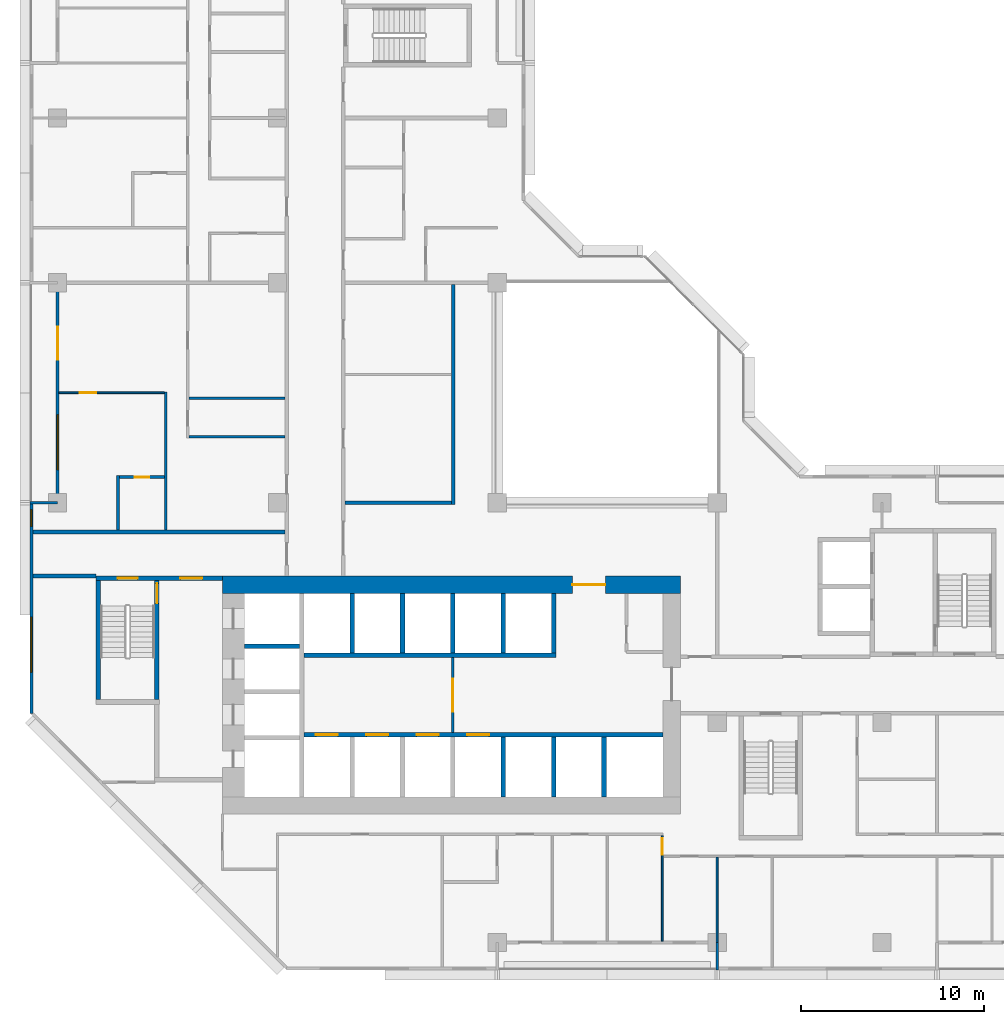
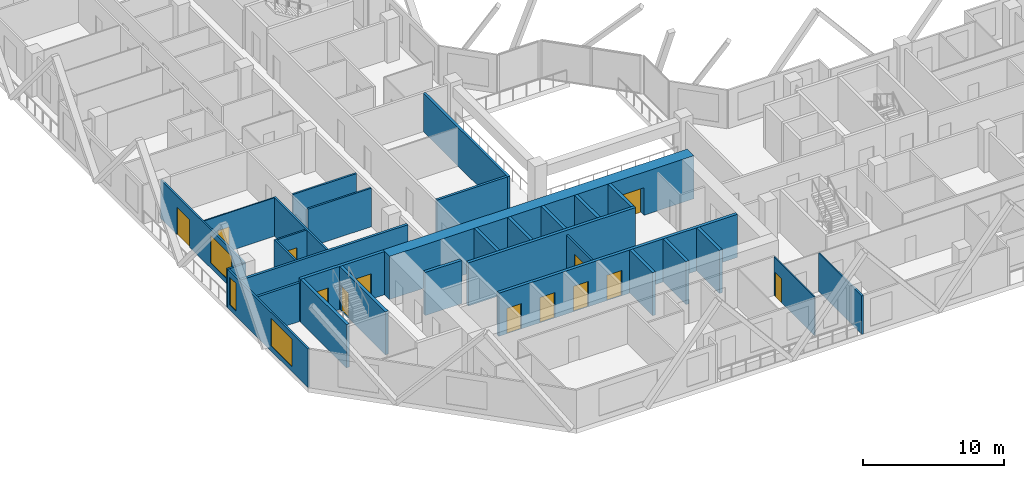
# One storey, part 5 of 15: 32 walls, 13 doors, 3 windows, 16 openings.
"""IFC4 building model written with IfcOpenShell, lengths in metres."""

from ifc_helpers import new_model, si_unit, direction, frame, frame_2d, origin, place, context, subcontext, project, spatial, rectangle, extrude, material, layer, layer_set, type_object, element, fill, save


model = new_model("IFC4")

# Units and contexts
model_context = context("Model", 3, precision=1e-05, world=origin(), true_north=direction((0.0, 1.0)))
body_context = subcontext(model_context, "Body", "Model", "MODEL_VIEW")
ifc_project = project(units=[si_unit("LENGTHUNIT", "METRE"), si_unit("AREAUNIT", "SQUARE_METRE"), si_unit("VOLUMEUNIT", "CUBIC_METRE"), si_unit("PLANEANGLEUNIT", "RADIAN"), si_unit("MASSUNIT", "GRAM", prefix="KILO")], contexts=[model_context])

# Site, building, storey
site_placement = place(None, origin())
site = spatial("IfcSite", under=ifc_project, at=site_placement, CompositionType="ELEMENT")
building_placement = place(site_placement, origin())
building = spatial("IfcBuilding", under=site, at=building_placement, Name="Chenar Terraces", CompositionType="ELEMENT")
storey_placement = place(building_placement, frame((0.0, 0.0, 121.89990234375)))
storey = spatial("IfcBuildingStorey", under=building, at=storey_placement, Name="L28", CompositionType="ELEMENT", Elevation=121.89990234375)

# Wall, opening, door
ifc_material_1 = material(Name="Gypsum board on steel studs", Category="steel")
ifc_layer_1 = layer(ifc_material_1, 0.14990234375)
ifc_layer_set_1 = layer_set([ifc_layer_1], Name="Gypsum board on steel studs")
wall_type_1 = type_object("IfcWallType", Name="Core partition 150 gypsum board", PredefinedType="PARTITIONING", material=ifc_layer_set_1)
wall_1_placement = place(storey_placement, frame((21.574951171875, 11.449951171875, 0.0), z_axis=(0.0, 0.0, 1.0), x_axis=(0.0, 1.0, 0.0)))
wall_1 = element("IfcWall", 1, at=wall_1_placement, inside=storey, type_object=wall_type_1, Name="Core partition CP1 lift lobby smoke stop", PredefinedType="PARTITIONING", context=body_context, shape_type="SweptSolid", body=[
    extrude(rectangle(XDim=4.10009765625, YDim=0.14990234375, at=frame_2d((2.050048828125, 0.0))), origin(), (0.0, 0.0, 1.0), 3.35009765625),
])
opening_1_placement = place(wall_1_placement, frame((1.14990234375, 0.0, 0.0)))
opening_1 = element("IfcOpeningElement", 2, at=opening_1_placement, cuts=wall_1, Name="Opening DL28-C12", PredefinedType="OPENING", context=body_context, shape_type="SweptSolid", body=[
    extrude(rectangle(XDim=1.800048828125, YDim=2.39990234375, at=frame_2d((0.89990234375, 1.199951171875))), frame((0.0, 0.0849609375, 0.0), z_axis=(0.0, -1.0, 0.0), x_axis=(1.0, 0.0, 0.0)), (0.0, 0.0, 1.0), 0.169921875),
])
ifc_material_2 = material(Name="Steel-framed fire-resisting door leaf", Category="steel")
door_type_1 = type_object("IfcDoorType", Name="Core entrance double fire door FD60 1800 x 2400", OperationType="DOUBLE_DOOR_SINGLE_SWING", PredefinedType="DOOR", material=ifc_material_2)
door_1_placement = place(opening_1_placement, frame((1.800048828125, 0.0, 0.0), z_axis=(0.0, 0.0, 1.0), x_axis=(-1.0, 0.0, 0.0)))
door_1 = element("IfcDoor", 3, at=door_1_placement, inside=storey, type_object=door_type_1, Name="Core door DL28-C12", OperationType="DOUBLE_DOOR_SINGLE_SWING", OverallHeight=2.39990234375, OverallWidth=1.800048828125, PredefinedType="DOOR", context=body_context, shape_type="SweptSolid", body=[
    extrude(rectangle(XDim=1.800048828125, YDim=2.39990234375, at=frame_2d((0.89990234375, 1.199951171875))), frame((0.0, 0.02490234375, 0.0), z_axis=(0.0, -1.0, 0.0), x_axis=(1.0, 0.0, 0.0)), (0.0, 0.0, 1.0), 0.050048828125),
])
fill(opening_1, door_1)

# Wall, openings, doors
ifc_material_3 = material(Name="Concrete C70/85", Category="concrete")
ifc_layer_2 = layer(ifc_material_3, 0.25)
ifc_layer_set_2 = layer_set([ifc_layer_2], Name="Concrete C70/85")
wall_type_2 = type_object("IfcWallType", Name="Core wall 250 Concrete C70/85", PredefinedType="SHEAR", material=ifc_layer_set_2)
wall_2_placement = place(storey_placement, frame((13.449951171875, 11.324951171875, 0.0), z_axis=(0.0, 0.0, 1.0), x_axis=(1.0, 0.0, 0.0)))
wall_2 = element("IfcWall", 4, at=wall_2_placement, inside=storey, type_object=wall_type_2, Name="Core wall SF L28", PredefinedType="SHEAR", context=body_context, shape_type="SweptSolid", body=[
    extrude(rectangle(XDim=19.60009765625, YDim=0.25, at=frame_2d((9.800048828125, 0.0))), origin(), (0.0, 0.0, 1.0), 3.75),
])
opening_2_placement = place(wall_2_placement, frame((0.64990234375, 0.0, 0.0)))
opening_2 = element("IfcOpeningElement", 5, at=opening_2_placement, cuts=wall_2, Name="Opening DL28-LD1", PredefinedType="OPENING", context=body_context, shape_type="SweptSolid", body=[
    extrude(rectangle(XDim=1.199951171875, YDim=2.199951171875, at=frame_2d((0.60009765625, 1.10009765625))), frame((0.0, 0.135009765625, 0.0), z_axis=(0.0, -1.0, 0.0), x_axis=(1.0, 0.0, 0.0)), (0.0, 0.0, 1.0), 0.27001953125),
])
opening_3_placement = place(wall_2_placement, frame((3.39990234375, 0.0, 0.0)))
opening_3 = element("IfcOpeningElement", 6, at=opening_3_placement, cuts=wall_2, Name="Opening DL28-LD2", PredefinedType="OPENING", context=body_context, shape_type="SweptSolid", body=[
    extrude(rectangle(XDim=1.199951171875, YDim=2.199951171875, at=frame_2d((0.60009765625, 1.10009765625))), frame((0.0, 0.135009765625, 0.0), z_axis=(0.0, -1.0, 0.0), x_axis=(1.0, 0.0, 0.0)), (0.0, 0.0, 1.0), 0.27001953125),
])
opening_4_placement = place(wall_2_placement, frame((6.14990234375, 0.0, 0.0)))
opening_4 = element("IfcOpeningElement", 7, at=opening_4_placement, cuts=wall_2, Name="Opening DL28-LD3", PredefinedType="OPENING", context=body_context, shape_type="SweptSolid", body=[
    extrude(rectangle(XDim=1.199951171875, YDim=2.199951171875, at=frame_2d((0.60009765625, 1.10009765625))), frame((0.0, 0.135009765625, 0.0), z_axis=(0.0, -1.0, 0.0), x_axis=(1.0, 0.0, 0.0)), (0.0, 0.0, 1.0), 0.27001953125),
])
opening_5_placement = place(wall_2_placement, frame((8.89990234375, 0.0, 0.0)))
opening_5 = element("IfcOpeningElement", 8, at=opening_5_placement, cuts=wall_2, Name="Opening DL28-LD4", PredefinedType="OPENING", context=body_context, shape_type="SweptSolid", body=[
    extrude(rectangle(XDim=1.199951171875, YDim=2.199951171875, at=frame_2d((0.60009765625, 1.10009765625))), frame((0.0, 0.135009765625, 0.0), z_axis=(0.0, -1.0, 0.0), x_axis=(1.0, 0.0, 0.0)), (0.0, 0.0, 1.0), 0.27001953125),
])
ifc_material_4 = material(Name="Stainless steel", Category="steel")
door_type_2 = type_object("IfcDoorType", Name="Lift landing door 1200 x 2200 sliding", OperationType="DOUBLE_DOOR_SLIDING", PredefinedType="DOOR", material=ifc_material_4)
door_2_placement = place(opening_2_placement, origin())
door_2 = element("IfcDoor", 9, at=door_2_placement, inside=storey, type_object=door_type_2, Name="Landing door L1", OperationType="DOUBLE_DOOR_SLIDING", OverallHeight=2.199951171875, OverallWidth=1.199951171875, PredefinedType="DOOR", context=body_context, shape_type="SweptSolid", body=[
    extrude(rectangle(XDim=1.199951171875, YDim=2.199951171875, at=frame_2d((0.60009765625, 1.10009765625))), frame((0.0, 0.02490234375, 0.0), z_axis=(0.0, -1.0, 0.0), x_axis=(1.0, 0.0, 0.0)), (0.0, 0.0, 1.0), 0.050048828125),
])
fill(opening_2, door_2)
door_3_placement = place(opening_3_placement, origin())
door_3 = element("IfcDoor", 10, at=door_3_placement, inside=storey, type_object=door_type_2, Name="Landing door L2", OperationType="DOUBLE_DOOR_SLIDING", OverallHeight=2.199951171875, OverallWidth=1.199951171875, PredefinedType="DOOR", context=body_context, shape_type="SweptSolid", body=[
    extrude(rectangle(XDim=1.199951171875, YDim=2.199951171875, at=frame_2d((0.60009765625, 1.10009765625))), frame((0.0, 0.02490234375, 0.0), z_axis=(0.0, -1.0, 0.0), x_axis=(1.0, 0.0, 0.0)), (0.0, 0.0, 1.0), 0.050048828125),
])
fill(opening_3, door_3)
door_4_placement = place(opening_4_placement, origin())
door_4 = element("IfcDoor", 11, at=door_4_placement, inside=storey, type_object=door_type_2, Name="Landing door L3", OperationType="DOUBLE_DOOR_SLIDING", OverallHeight=2.199951171875, OverallWidth=1.199951171875, PredefinedType="DOOR", context=body_context, shape_type="SweptSolid", body=[
    extrude(rectangle(XDim=1.199951171875, YDim=2.199951171875, at=frame_2d((0.60009765625, 1.10009765625))), frame((0.0, 0.02490234375, 0.0), z_axis=(0.0, -1.0, 0.0), x_axis=(1.0, 0.0, 0.0)), (0.0, 0.0, 1.0), 0.050048828125),
])
fill(opening_4, door_4)
door_5_placement = place(opening_5_placement, origin())
door_5 = element("IfcDoor", 12, at=door_5_placement, inside=storey, type_object=door_type_2, Name="Landing door L4", OperationType="DOUBLE_DOOR_SLIDING", OverallHeight=2.199951171875, OverallWidth=1.199951171875, PredefinedType="DOOR", context=body_context, shape_type="SweptSolid", body=[
    extrude(rectangle(XDim=1.199951171875, YDim=2.199951171875, at=frame_2d((0.60009765625, 1.10009765625))), frame((0.0, 0.02490234375, 0.0), z_axis=(0.0, -1.0, 0.0), x_axis=(1.0, 0.0, 0.0)), (0.0, 0.0, 1.0), 0.050048828125),
])
fill(opening_5, door_5)

# Walls
wall_3_placement = place(storey_placement, frame((13.449951171875, 15.675048828125, 0.0), z_axis=(0.0, 0.0, 1.0), x_axis=(1.0, 0.0, 0.0)))
element("IfcWall", 13, at=wall_3_placement, inside=storey, type_object=wall_type_2, Name="Core wall NF L28", PredefinedType="SHEAR", context=body_context, shape_type="SweptSolid", body=[
    extrude(rectangle(XDim=13.75, YDim=0.25, at=frame_2d((6.875, 0.0))), origin(), (0.0, 0.0, 1.0), 3.75),
])
wall_4_placement = place(storey_placement, frame((10.199951171875, 16.175048828125, 0.0), z_axis=(0.0, 0.0, 1.0), x_axis=(1.0, 0.0, 0.0)))
element("IfcWall", 14, at=wall_4_placement, inside=storey, type_object=wall_type_2, Name="Core wall HW2 L28", PredefinedType="SHEAR", context=body_context, shape_type="SweptSolid", body=[
    extrude(rectangle(XDim=3.0, YDim=0.25, at=frame_2d((1.5, 0.0))), origin(), (0.0, 0.0, 1.0), 3.75),
])
for number, where, z_axis, x_axis, name in (
    (15, (24.324951171875, 7.949951171875, 0.0), (0.0, 0.0, 1.0), (0.0, 1.0, 0.0), "Core wall SS3 L28"),
    (16, (27.074951171875, 7.949951171875, 0.0), (0.0, 0.0, 1.0), (0.0, 1.0, 0.0), "Core wall SS4 L28"),
    (17, (29.824951171875, 7.949951171875, 0.0), (0.0, 0.0, 1.0), (0.0, 1.0, 0.0), "Core wall SS5 L28"),
    (18, (16.074951171875, 15.800048828125, 0.0), (0.0, 0.0, 1.0), (0.0, 1.0, 0.0), "Core wall NS0 L28"),
    (19, (18.824951171875, 15.800048828125, 0.0), (0.0, 0.0, 1.0), (0.0, 1.0, 0.0), "Core wall NS1 L28"),
    (20, (21.574951171875, 15.800048828125, 0.0), (0.0, 0.0, 1.0), (0.0, 1.0, 0.0), "Core wall NS2 L28"),
    (21, (24.324951171875, 15.800048828125, 0.0), (0.0, 0.0, 1.0), (0.0, 1.0, 0.0), "Core wall NS3 L28"),
    (22, (27.074951171875, 15.800048828125, 0.0), (0.0, 0.0, 1.0), (0.0, 1.0, 0.0), "Core wall NE L28"),
):
    element("IfcWall", number, at=place(storey_placement, frame(where, z_axis=z_axis, x_axis=x_axis)), inside=storey, type_object=wall_type_2, Name=name, PredefinedType="SHEAR", context=body_context, shape_type="SweptSolid", body=[
        extrude(rectangle(XDim=3.25, YDim=0.25, at=frame_2d((1.625, 0.0))), origin(), (0.0, 0.0, 1.0), 3.75),
    ])

# Wall, openings, doors
wall_5_placement = place(storey_placement, frame((2.10009765625, 19.875, 0.0), z_axis=(0.0, 0.0, 1.0), x_axis=(1.0, 0.0, 0.0)))
wall_5 = element("IfcWall", 23, at=wall_5_placement, inside=storey, type_object=wall_type_2, Name="Core wall A_N L28", PredefinedType="SHEAR", context=body_context, shape_type="SweptSolid", body=[
    extrude(rectangle(XDim=6.89990234375, YDim=0.25, at=frame_2d((3.449951171875, 0.0))), origin(), (0.0, 0.0, 1.0), 3.75),
])
opening_6_placement = place(wall_5_placement, frame((1.175048828125, 0.0, 0.0)))
opening_6 = element("IfcOpeningElement", 24, at=opening_6_placement, cuts=wall_5, Name="Opening DL28-C5", PredefinedType="OPENING", context=body_context, shape_type="SweptSolid", body=[
    extrude(rectangle(XDim=1.10009765625, YDim=2.199951171875, at=frame_2d((0.550048828125, 1.10009765625))), frame((0.0, 0.135009765625, 0.0), z_axis=(0.0, -1.0, 0.0), x_axis=(1.0, 0.0, 0.0)), (0.0, 0.0, 1.0), 0.27001953125),
])
opening_7_placement = place(wall_5_placement, frame((4.60009765625, 0.0, 0.0)))
opening_7 = element("IfcOpeningElement", 25, at=opening_7_placement, cuts=wall_5, Name="Opening DL28-C6", PredefinedType="OPENING", context=body_context, shape_type="SweptSolid", body=[
    extrude(rectangle(XDim=1.199951171875, YDim=2.199951171875, at=frame_2d((0.60009765625, 1.10009765625))), frame((0.0, 0.135009765625, 0.0), z_axis=(0.0, -1.0, 0.0), x_axis=(1.0, 0.0, 0.0)), (0.0, 0.0, 1.0), 0.27001953125),
])
ifc_material_5 = material(Name="Steel-framed fire-resisting door leaf", Category="steel")
door_type_3 = type_object("IfcDoorType", Name="Lobby fire door FD60 1200 x 2200", OperationType="SINGLE_SWING_LEFT", PredefinedType="DOOR", material=ifc_material_5)
door_6_placement = place(opening_7_placement, frame((1.199951171875, 0.0, 0.0), z_axis=(0.0, 0.0, 1.0), x_axis=(-1.0, 0.0, 0.0)))
door_6 = element("IfcDoor", 26, at=door_6_placement, inside=storey, type_object=door_type_3, Name="Core door DL28-C6", OperationType="SINGLE_SWING_LEFT", OverallHeight=2.199951171875, OverallWidth=1.199951171875, PredefinedType="DOOR", context=body_context, shape_type="SweptSolid", body=[
    extrude(rectangle(XDim=1.199951171875, YDim=2.199951171875, at=frame_2d((0.60009765625, 1.10009765625))), frame((0.0, 0.02490234375, 0.0), z_axis=(0.0, -1.0, 0.0), x_axis=(1.0, 0.0, 0.0)), (0.0, 0.0, 1.0), 0.050048828125),
])
fill(opening_7, door_6)
ifc_material_6 = material(Name="Steel-framed fire-resisting door leaf", Category="steel")
door_type_4 = type_object("IfcDoorType", Name="Stair fire door FD60 1100 x 2200", OperationType="SINGLE_SWING_LEFT", PredefinedType="DOOR", material=ifc_material_6)
door_7_placement = place(opening_6_placement, origin())
door_7 = element("IfcDoor", 27, at=door_7_placement, inside=storey, type_object=door_type_4, Name="Stair door DL28-C5", OperationType="SINGLE_SWING_LEFT", OverallHeight=2.199951171875, OverallWidth=1.10009765625, PredefinedType="DOOR", context=body_context, shape_type="SweptSolid", body=[
    extrude(rectangle(XDim=1.10009765625, YDim=2.199951171875, at=frame_2d((0.550048828125, 1.10009765625))), frame((0.0, 0.02490234375, 0.0), z_axis=(0.0, -1.0, 0.0), x_axis=(1.0, 0.0, 0.0)), (0.0, 0.0, 1.0), 0.050048828125),
])
fill(opening_6, door_7)

# Wall
wall_6_placement = place(storey_placement, frame((2.22509765625, 13.25, 0.0), z_axis=(0.0, 0.0, 1.0), x_axis=(0.0, 1.0, 0.0)))
element("IfcWall", 28, at=wall_6_placement, inside=storey, type_object=wall_type_2, Name="Core wall ST1_W L28", PredefinedType="SHEAR", context=body_context, shape_type="SweptSolid", body=[
    extrude(rectangle(XDim=6.5, YDim=0.25, at=frame_2d((3.25, 0.0))), origin(), (0.0, 0.0, 1.0), 3.75),
])

# Wall, opening, door
wall_7_placement = place(storey_placement, frame((5.425048828125, 13.25, 0.0), z_axis=(0.0, 0.0, 1.0), x_axis=(0.0, 1.0, 0.0)))
wall_7 = element("IfcWall", 29, at=wall_7_placement, inside=storey, type_object=wall_type_2, Name="Core wall ST1_E L28", PredefinedType="SHEAR", context=body_context, shape_type="SweptSolid", body=[
    extrude(rectangle(XDim=6.5, YDim=0.25, at=frame_2d((3.25, 0.0))), origin(), (0.0, 0.0, 1.0), 3.75),
])
opening_8_placement = place(wall_7_placement, frame((5.25, 0.0, 0.0)))
opening_8 = element("IfcOpeningElement", 30, at=opening_8_placement, cuts=wall_7, Name="Opening DL28-C3", PredefinedType="OPENING", context=body_context, shape_type="SweptSolid", body=[
    extrude(rectangle(XDim=1.10009765625, YDim=2.199951171875, at=frame_2d((0.550048828125, 1.10009765625))), frame((0.0, 0.135009765625, 0.0), z_axis=(0.0, -1.0, 0.0), x_axis=(1.0, 0.0, 0.0)), (0.0, 0.0, 1.0), 0.27001953125),
])
door_8_placement = place(opening_8_placement, origin())
door_8 = element("IfcDoor", 31, at=door_8_placement, inside=storey, type_object=door_type_4, Name="Stair door DL28-C3", OperationType="SINGLE_SWING_RIGHT", OverallHeight=2.199951171875, OverallWidth=1.10009765625, PredefinedType="DOOR", context=body_context, shape_type="SweptSolid", body=[
    extrude(rectangle(XDim=1.10009765625, YDim=2.199951171875, at=frame_2d((0.550048828125, 1.10009765625))), frame((0.0, 0.02490234375, 0.0), z_axis=(0.0, -1.0, 0.0), x_axis=(1.0, 0.0, 0.0)), (0.0, 0.0, 1.0), 0.050048828125),
])
fill(opening_8, door_8)

ifc_material_7 = material(Name="Concrete C70/85", Category="concrete")
ifc_layer_3 = layer(ifc_material_7, 0.949951171875)
ifc_layer_set_3 = layer_set([ifc_layer_3], Name="Concrete C70/85")
wall_type_3 = type_object("IfcWallType", Name="Core wall 950 Concrete C70/85", PredefinedType="SHEAR", material=ifc_layer_set_3)
wall_8_placement = place(storey_placement, frame((9.0, 19.52490234375, 0.0), z_axis=(0.0, 0.0, 1.0), x_axis=(1.0, 0.0, 0.0)))
wall_8 = element("IfcWall", 32, at=wall_8_placement, inside=storey, type_object=wall_type_3, Name="Core wall N L28", PredefinedType="SHEAR", context=body_context, shape_type="SweptSolid", body=[
    extrude(rectangle(XDim=25.0, YDim=0.949951171875, at=frame_2d((12.5, 0.0))), origin(), (0.0, 0.0, 1.0), 3.75),
])
opening_9_placement = place(wall_8_placement, frame((19.10009765625, 0.0, 0.0)))
opening_9 = element("IfcOpeningElement", 33, at=opening_9_placement, cuts=wall_8, Name="Opening DL28-C2", PredefinedType="OPENING", context=body_context, shape_type="SweptSolid", body=[
    extrude(rectangle(XDim=1.800048828125, YDim=2.39990234375, at=frame_2d((0.89990234375, 1.199951171875))), frame((0.0, 0.48486328125, 0.0), z_axis=(0.0, -1.0, 0.0), x_axis=(1.0, 0.0, 0.0)), (0.0, 0.0, 1.0), 0.969970703125),
])
door_9_placement = place(opening_9_placement, frame((1.800048828125, 0.0, 0.0), z_axis=(0.0, 0.0, 1.0), x_axis=(-1.0, 0.0, 0.0)))
door_9 = element("IfcDoor", 34, at=door_9_placement, inside=storey, type_object=door_type_1, Name="Core door DL28-C2", OperationType="DOUBLE_DOOR_SINGLE_SWING", OverallHeight=2.39990234375, OverallWidth=1.800048828125, PredefinedType="DOOR", context=body_context, shape_type="SweptSolid", body=[
    extrude(rectangle(XDim=1.800048828125, YDim=2.39990234375, at=frame_2d((0.89990234375, 1.199951171875))), frame((0.0, 0.02490234375, 0.0), z_axis=(0.0, -1.0, 0.0), x_axis=(1.0, 0.0, 0.0)), (0.0, 0.0, 1.0), 0.050048828125),
])
fill(opening_9, door_9)

# Walls
ifc_material_8 = material(Name="Gypsum board on steel studs with fire boards", Category="steel")
ifc_layer_4 = layer(ifc_material_8, 0.199951171875)
ifc_layer_set_4 = layer_set([ifc_layer_4], Name="Gypsum board on steel studs with fire boards")
wall_type_4 = type_object("IfcWallType", Name="Corridor wall 200", PredefinedType="PARTITIONING", material=ifc_layer_set_4)
wall_9_placement = place(storey_placement, frame((-1.35009765625, 20.0, 0.0), z_axis=(0.0, 0.0, 1.0), x_axis=(1.0, 0.0, 0.0)))
element("IfcWall", 35, at=wall_9_placement, inside=storey, type_object=wall_type_4, Name="Partition L28-003", PredefinedType="PARTITIONING", context=body_context, shape_type="SweptSolid", body=[
    extrude(rectangle(XDim=3.4501953125, YDim=0.199951171875, at=frame_2d((1.72509765625, 0.0))), origin(), (0.0, 0.0, 1.0), 3.35009765625),
])
wall_10_placement = place(storey_placement, frame((-1.35009765625, 22.39990234375, 0.0), z_axis=(0.0, 0.0, 1.0), x_axis=(1.0, 0.0, 0.0)))
element("IfcWall", 36, at=wall_10_placement, inside=storey, type_object=wall_type_4, Name="Partition L28-004", PredefinedType="PARTITIONING", context=body_context, shape_type="SweptSolid", body=[
    extrude(rectangle(XDim=13.75, YDim=0.199951171875, at=frame_2d((6.875, 0.0))), origin(), (0.0, 0.0, 1.0), 3.35009765625),
])
wall_11_placement = place(storey_placement, frame((15.699951171875, 24.0, 0.0), z_axis=(0.0, 0.0, 1.0), x_axis=(1.0, 0.0, 0.0)))
element("IfcWall", 37, at=wall_11_placement, inside=storey, type_object=wall_type_4, Name="Partition L28-039", PredefinedType="PARTITIONING", context=body_context, shape_type="SweptSolid", body=[
    extrude(rectangle(XDim=5.800048828125, YDim=0.199951171875, at=frame_2d((2.89990234375, 0.0))), origin(), (0.0, 0.0, 1.0), 3.35009765625),
])
wall_12_placement = place(storey_placement, frame((21.60009765625, 23.89990234375, 0.0), z_axis=(0.0, 0.0, 1.0), x_axis=(0.0, 1.0, 0.0)))
element("IfcWall", 38, at=wall_12_placement, inside=storey, type_object=wall_type_4, Name="Partition L28-057", PredefinedType="PARTITIONING", context=body_context, shape_type="SweptSolid", body=[
    extrude(rectangle(XDim=12.0, YDim=0.199951171875, at=frame_2d((6.0, 0.0))), origin(), (0.0, 0.0, 1.0), 3.35009765625),
])

# Wall, openings, windows
ifc_material_9 = material(Name="Aluminium framed glazing", Category="aluminium")
ifc_layer_5 = layer(ifc_material_9, 0.14990234375)
ifc_layer_set_5 = layer_set([ifc_layer_5], Name="Aluminium framed glazing")
wall_type_5 = type_object("IfcWallType", Name="Glazed flush facade wall 150", PredefinedType="SOLIDWALL", material=ifc_layer_set_5)
wall_13_placement = place(storey_placement, frame((-1.425048828125, 23.925048828125, 0.0), z_axis=(0.0, 0.0, 1.0), x_axis=(0.0, -1.0, 0.0)))
wall_13 = element("IfcWall", 39, at=wall_13_placement, inside=storey, type_object=wall_type_5, Name="Glazed flush facade wall", PredefinedType="SOLIDWALL", context=body_context, shape_type="SweptSolid", body=[
    extrude(rectangle(XDim=11.425048828125, YDim=0.14990234375, at=frame_2d((5.71240234375, 0.0))), origin(), (0.0, 0.0, 1.0), 3.35009765625),
])
opening_10_placement = place(wall_13_placement, frame((0.3125, 0.0, 0.449951171875)))
opening_10 = element("IfcOpeningElement", 40, at=opening_10_placement, cuts=wall_13, Name="Opening W90x240", PredefinedType="OPENING", context=body_context, shape_type="SweptSolid", body=[
    extrude(rectangle(XDim=0.89990234375, YDim=2.39990234375, at=frame_2d((0.449951171875, 1.199951171875))), frame((0.0, 0.0849609375, 0.0), z_axis=(0.0, -1.0, 0.0), x_axis=(1.0, 0.0, 0.0)), (0.0, 0.0, 1.0), 0.169921875),
])
opening_11_placement = place(wall_13_placement, frame((6.175048828125, 0.0, 0.449951171875)))
opening_11 = element("IfcOpeningElement", 41, at=opening_11_placement, cuts=wall_13, Name="Opening W300x240", PredefinedType="OPENING", context=body_context, shape_type="SweptSolid", body=[
    extrude(rectangle(XDim=3.0, YDim=2.39990234375, at=frame_2d((1.5, 1.199951171875))), frame((0.0, 0.0849609375, 0.0), z_axis=(0.0, -1.0, 0.0), x_axis=(1.0, 0.0, 0.0)), (0.0, 0.0, 1.0), 0.169921875),
])
ifc_material_10 = material(Name="Low emissivity double glazing, aluminium frame", Category="aluminium")
window_type_1 = type_object("IfcWindowType", Name="Fixed light 3000 x 2400", PartitioningType="SINGLE_PANEL", PredefinedType="WINDOW", material=ifc_material_10)
window_1_placement = place(opening_11_placement, origin())
window_1 = element("IfcWindow", 42, at=window_1_placement, inside=storey, type_object=window_type_1, Name="Window", OverallHeight=2.39990234375, OverallWidth=3.0, PartitioningType="SINGLE_PANEL", PredefinedType="WINDOW", context=body_context, shape_type="SweptSolid", body=[
    extrude(rectangle(XDim=3.0, YDim=2.39990234375, at=frame_2d((1.5, 1.199951171875))), frame((0.0, 0.030029296875, 0.0), z_axis=(0.0, -1.0, 0.0), x_axis=(1.0, 0.0, 0.0)), (0.0, 0.0, 1.0), 0.06005859375),
])
fill(opening_11, window_1)
ifc_material_11 = material(Name="Low emissivity double glazing, aluminium frame", Category="aluminium")
window_type_2 = type_object("IfcWindowType", Name="Fixed light 900 x 2400", PartitioningType="SINGLE_PANEL", PredefinedType="WINDOW", material=ifc_material_11)
window_2_placement = place(opening_10_placement, origin())
window_2 = element("IfcWindow", 43, at=window_2_placement, inside=storey, type_object=window_type_2, Name="Window", OverallHeight=2.39990234375, OverallWidth=0.89990234375, PartitioningType="SINGLE_PANEL", PredefinedType="WINDOW", context=body_context, shape_type="SweptSolid", body=[
    extrude(rectangle(XDim=0.89990234375, YDim=2.39990234375, at=frame_2d((0.449951171875, 1.199951171875))), frame((0.0, 0.030029296875, 0.0), z_axis=(0.0, -1.0, 0.0), x_axis=(1.0, 0.0, 0.0)), (0.0, 0.0, 1.0), 0.06005859375),
])
fill(opening_10, window_2)

# Wall, openings, window, door
ifc_material_12 = material(Name="Aluminium framed glazing", Category="aluminium")
ifc_layer_6 = layer(ifc_material_12, 0.14990234375)
ifc_layer_set_6 = layer_set([ifc_layer_6], Name="Aluminium framed glazing")
wall_type_6 = type_object("IfcWallType", Name="Glazed loggia back wall 150", PredefinedType="SOLIDWALL", material=ifc_layer_set_6)
wall_14_placement = place(storey_placement, frame((0.0, 35.925048828125, 0.0), z_axis=(0.0, 0.0, 1.0), x_axis=(0.0, -1.0, 0.0)))
wall_14 = element("IfcWall", 44, at=wall_14_placement, inside=storey, type_object=wall_type_6, Name="Glazed loggia back wall", PredefinedType="SOLIDWALL", context=body_context, shape_type="SweptSolid", body=[
    extrude(rectangle(XDim=11.85009765625, YDim=0.14990234375, at=frame_2d((5.925048828125, 0.0))), origin(), (0.0, 0.0, 1.0), 3.35009765625),
])
opening_12_placement = place(wall_14_placement, frame((2.324951171875, 0.0, 0.0)))
opening_12 = element("IfcOpeningElement", 45, at=opening_12_placement, cuts=wall_14, Name="Opening DL28-G5", PredefinedType="OPENING", context=body_context, shape_type="SweptSolid", body=[
    extrude(rectangle(XDim=1.800048828125, YDim=2.39990234375, at=frame_2d((0.89990234375, 1.199951171875))), frame((0.0, 0.0849609375, 0.0), z_axis=(0.0, -1.0, 0.0), x_axis=(1.0, 0.0, 0.0)), (0.0, 0.0, 1.0), 0.169921875),
])
opening_13_placement = place(wall_14_placement, frame((7.125, 0.0, 0.449951171875)))
opening_13 = element("IfcOpeningElement", 46, at=opening_13_placement, cuts=wall_14, Name="Opening W300x240", PredefinedType="OPENING", context=body_context, shape_type="SweptSolid", body=[
    extrude(rectangle(XDim=3.0, YDim=2.39990234375, at=frame_2d((1.5, 1.199951171875))), frame((0.0, 0.0849609375, 0.0), z_axis=(0.0, -1.0, 0.0), x_axis=(1.0, 0.0, 0.0)), (0.0, 0.0, 1.0), 0.169921875),
])
window_3_placement = place(opening_13_placement, origin())
window_3 = element("IfcWindow", 47, at=window_3_placement, inside=storey, type_object=window_type_1, Name="Window", OverallHeight=2.39990234375, OverallWidth=3.0, PartitioningType="SINGLE_PANEL", PredefinedType="WINDOW", context=body_context, shape_type="SweptSolid", body=[
    extrude(rectangle(XDim=3.0, YDim=2.39990234375, at=frame_2d((1.5, 1.199951171875))), frame((0.0, 0.030029296875, 0.0), z_axis=(0.0, -1.0, 0.0), x_axis=(1.0, 0.0, 0.0)), (0.0, 0.0, 1.0), 0.06005859375),
])
fill(opening_13, window_3)
ifc_material_13 = material(Name="Low emissivity double glazing, aluminium frame", Category="aluminium")
door_type_5 = type_object("IfcDoorType", Name="Loggia glazed double door 1800 x 2400", OperationType="DOUBLE_DOOR_SINGLE_SWING", PredefinedType="DOOR", material=ifc_material_13)
door_10_placement = place(opening_12_placement, frame((1.800048828125, 0.0, 0.0), z_axis=(0.0, 0.0, 1.0), x_axis=(-1.0, 0.0, 0.0)))
door_10 = element("IfcDoor", 48, at=door_10_placement, inside=storey, type_object=door_type_5, Name="Loggia glazed door", OperationType="DOUBLE_DOOR_SINGLE_SWING", OverallHeight=2.39990234375, OverallWidth=1.800048828125, PredefinedType="DOOR", context=body_context, shape_type="SweptSolid", body=[
    extrude(rectangle(XDim=1.800048828125, YDim=2.39990234375, at=frame_2d((0.89990234375, 1.199951171875))), frame((0.0, 0.02490234375, 0.0), z_axis=(0.0, -1.0, 0.0), x_axis=(1.0, 0.0, 0.0)), (0.0, 0.0, 1.0), 0.050048828125),
])
fill(opening_12, door_10)

# Wall, opening, door
ifc_material_14 = material(Name="Gypsum board on steel studs", Category="steel")
ifc_layer_7 = layer(ifc_material_14, 0.10009765625)
ifc_layer_set_7 = layer_set([ifc_layer_7], Name="Gypsum board on steel studs")
wall_type_7 = type_object("IfcWallType", Name="Gypsum partition 100", PredefinedType="PARTITIONING", material=ifc_layer_set_7)
wall_15_placement = place(storey_placement, frame((0.073974609375, 30.0, 0.0), z_axis=(0.0, 0.0, 1.0), x_axis=(1.0, 0.0, 0.0)))
wall_15 = element("IfcWall", 49, at=wall_15_placement, inside=storey, type_object=wall_type_7, Name="Partition L28-007", PredefinedType="PARTITIONING", context=body_context, shape_type="SweptSolid", body=[
    extrude(rectangle(XDim=5.7509765625, YDim=0.10009765625, at=frame_2d((2.87548828125, 0.0))), origin(), (0.0, 0.0, 1.0), 3.35009765625),
])
opening_14_placement = place(wall_15_placement, frame((1.1259765625, 0.0, 0.0)))
opening_14 = element("IfcOpeningElement", 50, at=opening_14_placement, cuts=wall_15, Name="Opening DL28-71", PredefinedType="OPENING", context=body_context, shape_type="SweptSolid", body=[
    extrude(rectangle(XDim=0.89990234375, YDim=2.10009765625, at=frame_2d((0.449951171875, 1.050048828125))), frame((0.0, 0.06005859375, 0.0), z_axis=(0.0, -1.0, 0.0), x_axis=(1.0, 0.0, 0.0)), (0.0, 0.0, 1.0), 0.1201171875),
])
ifc_material_15 = material(Name="Veneered timber door leaf", Category="wood")
door_type_6 = type_object("IfcDoorType", Name="Door 900 x 2100", OperationType="SINGLE_SWING_LEFT", PredefinedType="DOOR", material=ifc_material_15)
door_11_placement = place(opening_14_placement, frame((0.89990234375, 0.0, 0.0), z_axis=(0.0, 0.0, 1.0), x_axis=(-1.0, 0.0, 0.0)))
door_11 = element("IfcDoor", 51, at=door_11_placement, inside=storey, type_object=door_type_6, Name="Door DL28-71", OperationType="SINGLE_SWING_RIGHT", OverallHeight=2.10009765625, OverallWidth=0.89990234375, PredefinedType="DOOR", context=body_context, shape_type="SweptSolid", body=[
    extrude(rectangle(XDim=0.89990234375, YDim=2.10009765625, at=frame_2d((0.449951171875, 1.050048828125))), frame((0.0, 0.02490234375, 0.0), z_axis=(0.0, -1.0, 0.0), x_axis=(1.0, 0.0, 0.0)), (0.0, 0.0, 1.0), 0.050048828125),
])
fill(opening_14, door_11)

wall_16_placement = place(storey_placement, frame((33.0, 0.073974609375, 0.0), z_axis=(0.0, 0.0, 1.0), x_axis=(0.0, 1.0, 0.0)))
wall_16 = element("IfcWall", 52, at=wall_16_placement, inside=storey, type_object=wall_type_7, Name="Partition L28-061", PredefinedType="PARTITIONING", context=body_context, shape_type="SweptSolid", body=[
    extrude(rectangle(XDim=5.7509765625, YDim=0.10009765625, at=frame_2d((2.87548828125, 0.0))), origin(), (0.0, 0.0, 1.0), 3.35009765625),
])
opening_15_placement = place(wall_16_placement, frame((4.700927734375, 0.0, 0.0)))
opening_15 = element("IfcOpeningElement", 53, at=opening_15_placement, cuts=wall_16, Name="Opening DL28-56", PredefinedType="OPENING", context=body_context, shape_type="SweptSolid", body=[
    extrude(rectangle(XDim=0.89990234375, YDim=2.10009765625, at=frame_2d((0.449951171875, 1.050048828125))), frame((0.0, 0.06005859375, 0.0), z_axis=(0.0, -1.0, 0.0), x_axis=(1.0, 0.0, 0.0)), (0.0, 0.0, 1.0), 0.1201171875),
])
door_12_placement = place(opening_15_placement, origin())
door_12 = element("IfcDoor", 54, at=door_12_placement, inside=storey, type_object=door_type_6, Name="Door DL28-56", OperationType="SINGLE_SWING_RIGHT", OverallHeight=2.10009765625, OverallWidth=0.89990234375, PredefinedType="DOOR", context=body_context, shape_type="SweptSolid", body=[
    extrude(rectangle(XDim=0.89990234375, YDim=2.10009765625, at=frame_2d((0.449951171875, 1.050048828125))), frame((0.0, 0.02490234375, 0.0), z_axis=(0.0, -1.0, 0.0), x_axis=(1.0, 0.0, 0.0)), (0.0, 0.0, 1.0), 0.050048828125),
])
fill(opening_15, door_12)

# Walls
wall_17_placement = place(storey_placement, frame((36.0, 0.0, 0.0), z_axis=(0.0, 0.0, 1.0), x_axis=(0.0, 1.0, 0.0)))
element("IfcWall", 55, at=wall_17_placement, inside=storey, type_object=wall_type_7, Name="Partition L28-065", PredefinedType="PARTITIONING", context=body_context, shape_type="SweptSolid", body=[
    extrude(rectangle(XDim=4.64990234375, YDim=0.10009765625, at=frame_2d((2.324951171875, 0.0))), origin(), (0.0, 0.0, 1.0), 3.35009765625),
])
ifc_material_16 = material(Name="Terracotta cladding on insulated backing", Category="masonry")
ifc_layer_8 = layer(ifc_material_16, 0.14990234375)
ifc_layer_set_8 = layer_set([ifc_layer_8], Name="Terracotta cladding on insulated backing")
wall_type_8 = type_object("IfcWallType", Name="Loggia return wall 150", PredefinedType="SOLIDWALL", material=ifc_layer_set_8)
for number, where, z_axis, x_axis, name in (
    (56, (-1.5, 24.0, 0.0), (0.0, 0.0, 1.0), (1.0, 0.0, 0.0), "Loggia return wall"),
    (57, (36.0, -1.5, 0.0), (0.0, 0.0, 1.0), (0.0, 1.0, 0.0), "Loggia return wall"),
):
    element("IfcWall", number, at=place(storey_placement, frame(where, z_axis=z_axis, x_axis=x_axis)), inside=storey, type_object=wall_type_8, Name=name, PredefinedType="SOLIDWALL", context=body_context, shape_type="SweptSolid", body=[
        extrude(rectangle(XDim=1.5, YDim=0.14990234375, at=frame_2d((0.75, 0.0))), origin(), (0.0, 0.0, 1.0), 3.35009765625),
    ])
ifc_material_17 = material(Name="Moisture-resistant gypsum board on steel studs", Category="steel")
ifc_layer_9 = layer(ifc_material_17, 0.14990234375)
ifc_layer_set_9 = layer_set([ifc_layer_9], Name="Moisture-resistant gypsum board on steel studs")
wall_type_9 = type_object("IfcWallType", Name="Wet-room partition 150", PredefinedType="PARTITIONING", material=ifc_layer_set_9)
wall_18_placement = place(storey_placement, frame((3.300048828125, 22.5, 0.0), z_axis=(0.0, 0.0, 1.0), x_axis=(0.0, 1.0, 0.0)))
element("IfcWall", 58, at=wall_18_placement, inside=storey, type_object=wall_type_9, Name="Partition L28-012", PredefinedType="PARTITIONING", context=body_context, shape_type="SweptSolid", body=[
    extrude(rectangle(XDim=2.97509765625, YDim=0.14990234375, at=frame_2d((1.487548828125, 0.0))), origin(), (0.0, 0.0, 1.0), 3.35009765625),
])

# Wall, opening, door
wall_19_placement = place(storey_placement, frame((3.375, 25.39990234375, 0.0), z_axis=(0.0, 0.0, 1.0), x_axis=(1.0, 0.0, 0.0)))
wall_19 = element("IfcWall", 59, at=wall_19_placement, inside=storey, type_object=wall_type_9, Name="Partition L28-013", PredefinedType="PARTITIONING", context=body_context, shape_type="SweptSolid", body=[
    extrude(rectangle(XDim=2.449951171875, YDim=0.14990234375, at=frame_2d((1.22509765625, 0.0))), origin(), (0.0, 0.0, 1.0), 3.35009765625),
])
opening_16_placement = place(wall_19_placement, frame((0.824951171875, 0.0, 0.0)))
opening_16 = element("IfcOpeningElement", 60, at=opening_16_placement, cuts=wall_19, Name="Opening DL28-72", PredefinedType="OPENING", context=body_context, shape_type="SweptSolid", body=[
    extrude(rectangle(XDim=0.800048828125, YDim=2.10009765625, at=frame_2d((0.39990234375, 1.050048828125))), frame((0.0, 0.0849609375, 0.0), z_axis=(0.0, -1.0, 0.0), x_axis=(1.0, 0.0, 0.0)), (0.0, 0.0, 1.0), 0.169921875),
])
ifc_material_18 = material(Name="Veneered timber door leaf", Category="wood")
door_type_7 = type_object("IfcDoorType", Name="Door 800 x 2100", OperationType="SINGLE_SWING_LEFT", PredefinedType="DOOR", material=ifc_material_18)
door_13_placement = place(opening_16_placement, frame((0.800048828125, 0.0, 0.0), z_axis=(0.0, 0.0, 1.0), x_axis=(-1.0, 0.0, 0.0)))
door_13 = element("IfcDoor", 61, at=door_13_placement, inside=storey, type_object=door_type_7, Name="Door DL28-72", OperationType="SINGLE_SWING_LEFT", OverallHeight=2.10009765625, OverallWidth=0.800048828125, PredefinedType="DOOR", context=body_context, shape_type="SweptSolid", body=[
    extrude(rectangle(XDim=0.800048828125, YDim=2.10009765625, at=frame_2d((0.39990234375, 1.050048828125))), frame((0.0, 0.02490234375, 0.0), z_axis=(0.0, -1.0, 0.0), x_axis=(1.0, 0.0, 0.0)), (0.0, 0.0, 1.0), 0.050048828125),
])
fill(opening_16, door_13)

# Walls
wall_20_placement = place(storey_placement, frame((5.89990234375, 22.5, 0.0), z_axis=(0.0, 0.0, 1.0), x_axis=(0.0, 1.0, 0.0)))
element("IfcWall", 62, at=wall_20_placement, inside=storey, type_object=wall_type_9, Name="Partition L28-018", PredefinedType="PARTITIONING", context=body_context, shape_type="SweptSolid", body=[
    extrude(rectangle(XDim=7.550048828125, YDim=0.14990234375, at=frame_2d((3.77490234375, 0.0))), origin(), (0.0, 0.0, 1.0), 3.35009765625),
])
for number, where, z_axis, x_axis, name in (
    (63, (7.175048828125, 27.60009765625, 0.0), (0.0, 0.0, 1.0), (1.0, 0.0, 0.0), "Partition L28-021"),
    (64, (7.175048828125, 29.699951171875, 0.0), (0.0, 0.0, 1.0), (1.0, 0.0, 0.0), "Partition L28-022"),
):
    element("IfcWall", number, at=place(storey_placement, frame(where, z_axis=z_axis, x_axis=x_axis)), inside=storey, type_object=wall_type_9, Name=name, PredefinedType="PARTITIONING", context=body_context, shape_type="SweptSolid", body=[
        extrude(rectangle(XDim=5.224853515625, YDim=0.14990234375, at=frame_2d((2.6123046875, 0.0))), origin(), (0.0, 0.0, 1.0), 3.35009765625),
    ])

save(model, "model.ifc")
